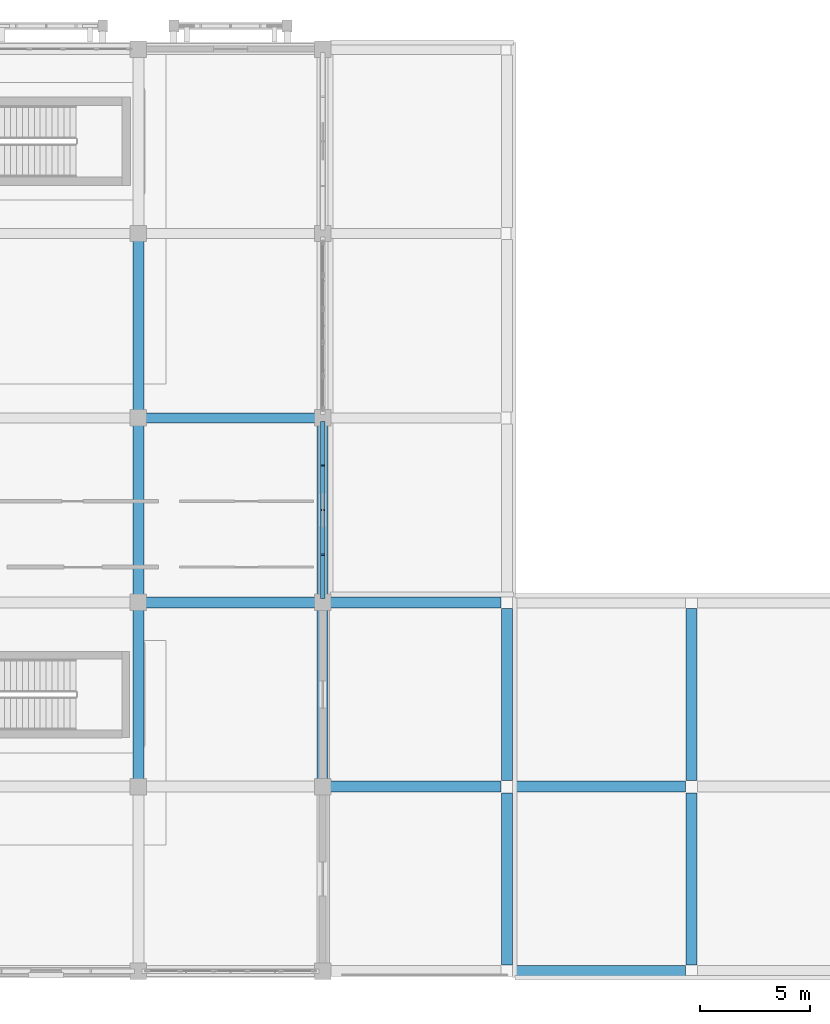
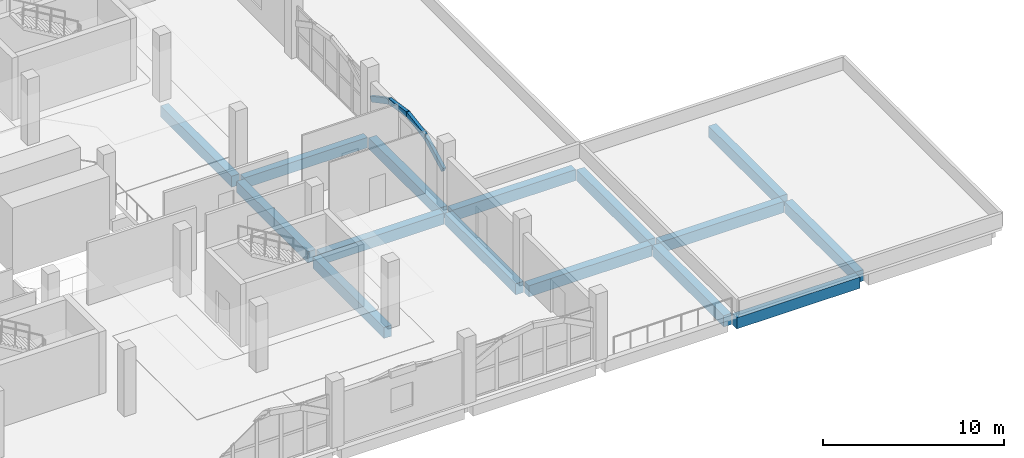
# One storey, part 11 of 34: 15 beams, 4 members.
"""IFC4 building model written with IfcOpenShell, lengths in metres."""

from ifc_helpers import new_model, si_unit, direction, frame, origin, origin_2d, place, context, subcontext, project, spatial, rectangle, extrude, material, material_profile, profile_set, type_object, element, save


model = new_model("IFC4")

# Units and contexts
model_context = context("Model", 3, precision=1e-05, world=origin(), true_north=direction((0.0, 1.0)))
body_context = subcontext(model_context, "Body", "Model", "MODEL_VIEW")
ifc_project = project(units=[si_unit("LENGTHUNIT", "METRE"), si_unit("AREAUNIT", "SQUARE_METRE"), si_unit("VOLUMEUNIT", "CUBIC_METRE"), si_unit("PLANEANGLEUNIT", "RADIAN"), si_unit("MASSUNIT", "GRAM", prefix="KILO")], contexts=[model_context])

# Site, building, storey
site_placement = place(None, origin())
site = spatial("IfcSite", under=ifc_project, at=site_placement, CompositionType="ELEMENT")
building_placement = place(site_placement, origin())
building = spatial("IfcBuilding", under=site, at=building_placement, Name="Xazarin Passage Department Store", CompositionType="ELEMENT")
storey_placement = place(building_placement, frame((0.0, 0.0, 18.89990234375)))
storey = spatial("IfcBuildingStorey", under=building, at=storey_placement, Name="L04", CompositionType="ELEMENT", Elevation=18.89990234375)

# Beams
ifc_material_1 = material(Name="Concrete C35/45", Category="concrete")
ifc_material_profile_1 = material_profile(ifc_material_1, rectangle(XDim=0.449951171875, YDim=0.699951171875, at=origin_2d()), Name="RC 450x700")
ifc_profile_set_1 = profile_set([ifc_material_profile_1], Name="Concrete C35/45")
beam_type_1 = type_object("IfcBeamType", Name="STR-BM-G450x700", PredefinedType="BEAM", material=ifc_profile_set_1)
beam_1_placement = place(storey_placement, frame((33.8798828125, 93.199951171875, -0.64990234375), z_axis=(1.0, 0.0, 0.0), x_axis=(0.0, 1.0, 0.0)))
element("IfcBeam", 1, at=beam_1_placement, inside=storey, type_object=beam_type_1, Name="L04 Grid Beam N/5-6", PredefinedType="BEAM", context=body_context, shape_type="SweptSolid", body=[
    extrude(rectangle(XDim=0.449951171875, YDim=0.699951171875, at=origin_2d()), origin(), (0.0, 0.0, 1.0), 7.840087890625),
])
ifc_material_profile_2 = material_profile(ifc_material_1, rectangle(XDim=0.5, YDim=0.75, at=origin_2d()), Name="RC 500x750")
ifc_profile_set_2 = profile_set([ifc_material_profile_2], Name="Concrete C35/45")
beam_type_2 = type_object("IfcBeamType", Name="STR-BM-SP500x750", PredefinedType="SPANDREL", material=ifc_profile_set_2)
for number, where, z_axis, x_axis, name in (
    (2, (50.679931640625, 68.0, -0.6748046875), (1.0, 0.0, 0.0), (0.0, 1.0, 0.0), "L04 Grid Beam K/7-8"),
    (3, (42.280029296875, 76.39990234375, -0.6748046875), (1.0, 0.0, 0.0), (0.0, 1.0, 0.0), "L04 Grid Beam L/6-7"),
    (4, (50.679931640625, 76.39990234375, -0.6748046875), (1.0, 0.0, 0.0), (0.0, 1.0, 0.0), "L04 Grid Beam L/7-8"),
    (5, (33.8798828125, 84.800048828125, -0.6748046875), (1.0, 0.0, 0.0), (0.0, 1.0, 0.0), "L04 Grid Beam M/5-6"),
    (6, (42.280029296875, 84.800048828125, -0.6748046875), (1.0, 0.0, 0.0), (0.0, 1.0, 0.0), "L04 Grid Beam M/6-7"),
    (7, (33.60009765625, 76.679931640625, -0.6748046875), (0.0, 1.0, 0.0), (-1.0, 0.0, 0.0), "L04 Grid Beam 5/L-M"),
):
    element("IfcBeam", number, at=place(storey_placement, frame(where, z_axis=z_axis, x_axis=x_axis)), inside=storey, type_object=beam_type_2, Name=name, PredefinedType="SPANDREL", context=body_context, shape_type="SweptSolid", body=[
        extrude(rectangle(XDim=0.5, YDim=0.75, at=origin_2d()), origin(), (0.0, 0.0, 1.0), 7.840087890625),
    ])
beam_2_placement = place(storey_placement, frame((33.60009765625, 85.080078125, -0.6748046875), z_axis=(0.0, 1.0, 0.0), x_axis=(-1.0, 0.0, 0.0)))
element("IfcBeam", 8, at=beam_2_placement, inside=storey, type_object=beam_type_2, Name="L04 Grid Beam 5/M-N", PredefinedType="SPANDREL", context=body_context, shape_type="SweptSolid", body=[
    extrude(rectangle(XDim=0.5, YDim=0.75, at=origin_2d()), origin(), (0.0, 0.0, 1.0), 7.83984375),
])
for number, where, z_axis, x_axis, name in (
    (9, (33.60009765625, 93.47998046875, -0.6748046875), (0.0, 1.0, 0.0), (-1.0, 0.0, 0.0), "L04 Grid Beam 5/N-P"),
    (10, (42.0, 76.679931640625, -0.6748046875), (0.0, 1.0, 0.0), (-1.0, 0.0, 0.0), "L04 Grid Beam 6/L-M"),
):
    element("IfcBeam", number, at=place(storey_placement, frame(where, z_axis=z_axis, x_axis=x_axis)), inside=storey, type_object=beam_type_2, Name=name, PredefinedType="SPANDREL", context=body_context, shape_type="SweptSolid", body=[
        extrude(rectangle(XDim=0.5, YDim=0.75, at=origin_2d()), origin(), (0.0, 0.0, 1.0), 7.840087890625),
    ])
beam_3_placement = place(storey_placement, frame((42.0, 85.080078125, -0.6748046875), z_axis=(0.0, 1.0, 0.0), x_axis=(-1.0, 0.0, 0.0)))
element("IfcBeam", 11, at=beam_3_placement, inside=storey, type_object=beam_type_2, Name="L04 Grid Beam 6/M-N", PredefinedType="SPANDREL", context=body_context, shape_type="SweptSolid", body=[
    extrude(rectangle(XDim=0.5, YDim=0.75, at=origin_2d()), origin(), (0.0, 0.0, 1.0), 7.83984375),
])
for number, where, z_axis, x_axis, name in (
    (12, (50.39990234375, 68.280029296875, -0.6748046875), (0.0, 1.0, 0.0), (-1.0, 0.0, 0.0), "L04 Grid Beam 7/K-L"),
    (13, (50.39990234375, 76.679931640625, -0.6748046875), (0.0, 1.0, 0.0), (-1.0, 0.0, 0.0), "L04 Grid Beam 7/L-M"),
    (14, (58.800048828125, 68.280029296875, -0.6748046875), (0.0, 1.0, 0.0), (-1.0, 0.0, 0.0), "L04 Grid Beam 8/K-L"),
    (15, (58.800048828125, 76.679931640625, -0.6748046875), (0.0, 1.0, 0.0), (-1.0, 0.0, 0.0), "L04 Grid Beam 8/L-M"),
):
    element("IfcBeam", number, at=place(storey_placement, frame(where, z_axis=z_axis, x_axis=x_axis)), inside=storey, type_object=beam_type_2, Name=name, PredefinedType="SPANDREL", context=body_context, shape_type="SweptSolid", body=[
        extrude(rectangle(XDim=0.5, YDim=0.75, at=origin_2d()), origin(), (0.0, 0.0, 1.0), 7.840087890625),
    ])

# Members
ifc_material_2 = material(Name="Concrete C40/50", Category="concrete")
ifc_material_profile_3 = material_profile(ifc_material_2, rectangle(XDim=0.199951171875, YDim=0.360107421875, at=origin_2d()), Name="RC 200x360")
ifc_profile_set_3 = profile_set([ifc_material_profile_3], Name="Concrete C40/50")
member_type = type_object("IfcMemberType", Name="STR-MEM-ARC360", PredefinedType="CHORD", material=ifc_profile_set_3)
member_1_placement = place(storey_placement, frame((42.0, 85.050048828125, 2.22998046875), z_axis=(0.0, 0.884709354127, 0.466143066793), x_axis=(-1.0, 0.0, 0.0)))
element("IfcMember", 16, at=member_1_placement, inside=storey, type_object=member_type, Name="L04 V1 Upper Setback Pierced Arch 025.1", PredefinedType="CHORD", context=body_context, shape_type="SweptSolid", body=[
    extrude(rectangle(XDim=0.199951171875, YDim=0.360107421875, at=origin_2d()), origin(), (0.0, 0.0, 1.0), 2.232177734375),
])
for number, where, z_axis, x_axis, name in (
    (17, (42.0, 87.02490234375, 3.2705078125), (0.0, 0.987938581312, 0.154846244883), (-1.0, 0.0, 0.0), "L04 V1 Upper Setback Pierced Arch 025.2"),
    (18, (42.0, 89.0, 3.580078125), (0.0, 0.987938581312, -0.154846244883), (-1.0, 0.0, 0.0), "L04 V1 Upper Setback Pierced Arch 025.3"),
):
    element("IfcMember", number, at=place(storey_placement, frame(where, z_axis=z_axis, x_axis=x_axis)), inside=storey, type_object=member_type, Name=name, PredefinedType="CHORD", context=body_context, shape_type="SweptSolid", body=[
        extrude(rectangle(XDim=0.199951171875, YDim=0.360107421875, at=origin_2d()), origin(), (0.0, 0.0, 1.0), 1.999267578125),
    ])
member_2_placement = place(storey_placement, frame((42.0, 90.97509765625, 3.2705078125), z_axis=(0.0, 0.884709354127, -0.466143066793), x_axis=(-1.0, 0.0, 0.0)))
element("IfcMember", 19, at=member_2_placement, inside=storey, type_object=member_type, Name="L04 V1 Upper Setback Pierced Arch 025.4", PredefinedType="CHORD", context=body_context, shape_type="SweptSolid", body=[
    extrude(rectangle(XDim=0.199951171875, YDim=0.360107421875, at=origin_2d()), origin(), (0.0, 0.0, 1.0), 2.232177734375),
])

save(model, "model.ifc")
